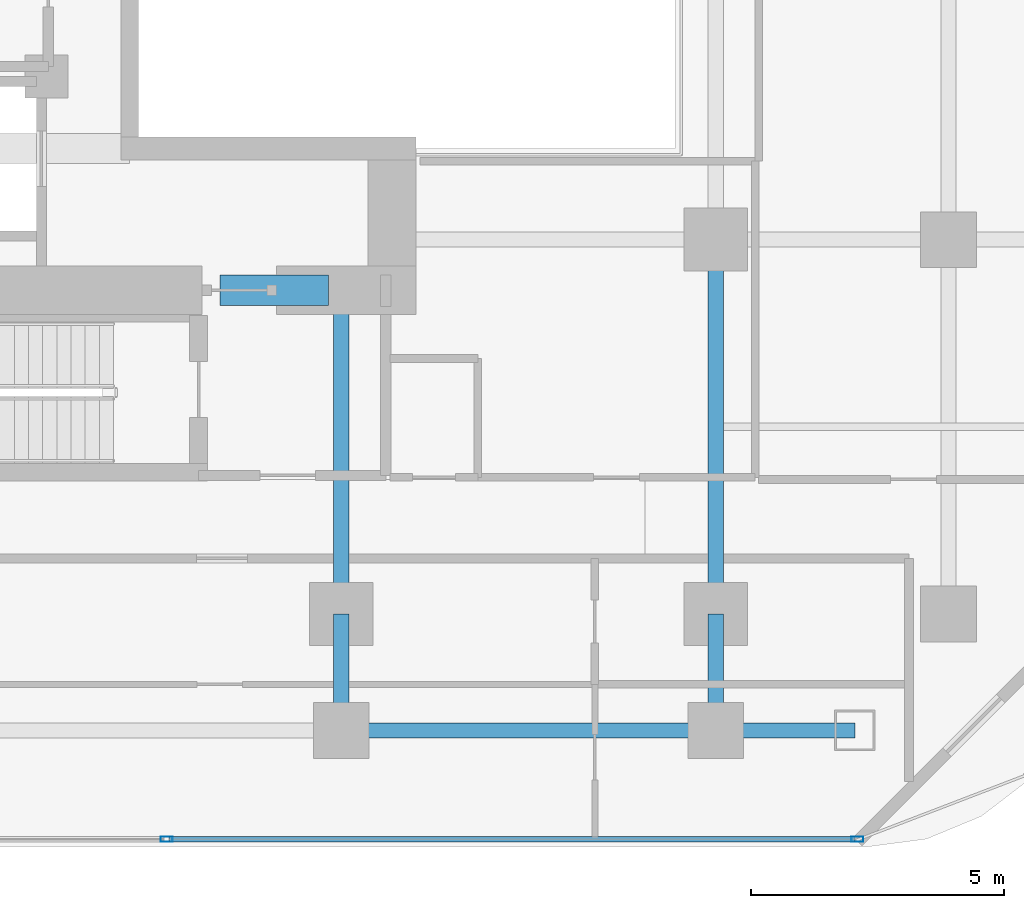
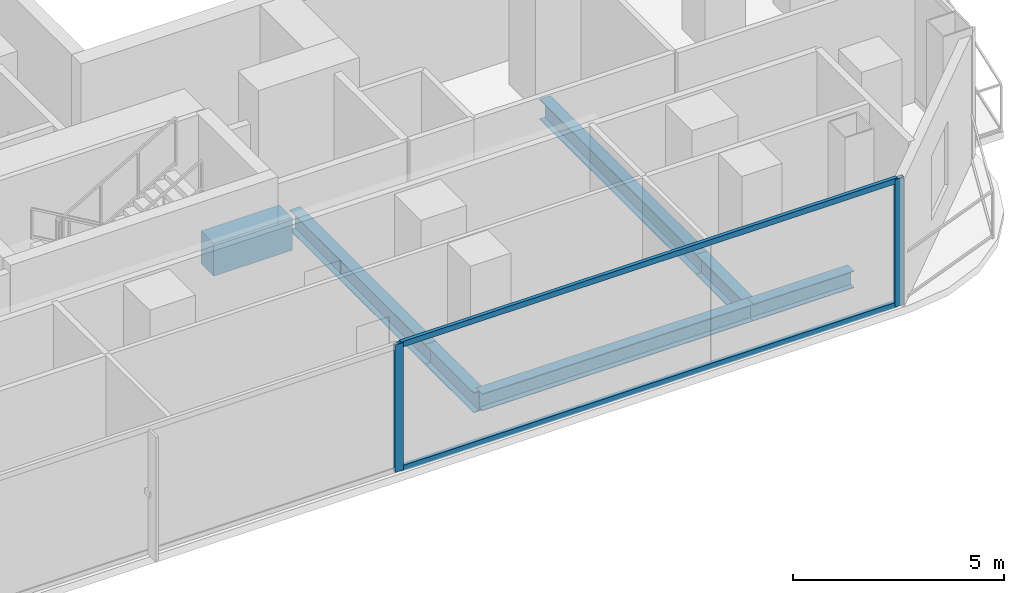
# One storey, part 8 of 28: 7 beams, 4 members, 1 element without a shape of its own.
"""IFC4 building model written with IfcOpenShell, lengths in metres."""

from ifc_helpers import new_model, si_unit, direction, frame, origin, origin_2d, place, context, subcontext, project, spatial, rectangle, hollow_rectangle, i_section, extrude, material, layer, layer_set, material_profile, profile_set, type_object, element, aggregate, save


model = new_model("IFC4")

# Units and contexts
model_context = context("Model", 3, precision=1e-05, world=origin(), true_north=direction((0.0, 1.0)))
body_context = subcontext(model_context, "Body", "Model", "MODEL_VIEW")
ifc_project = project(units=[si_unit("LENGTHUNIT", "METRE"), si_unit("AREAUNIT", "SQUARE_METRE"), si_unit("VOLUMEUNIT", "CUBIC_METRE"), si_unit("PLANEANGLEUNIT", "RADIAN"), si_unit("MASSUNIT", "GRAM", prefix="KILO")], contexts=[model_context])

# Site, building, storey
site_placement = place(None, origin())
site = spatial("IfcSite", under=ifc_project, at=site_placement, CompositionType="ELEMENT")
building_placement = place(site_placement, origin())
building = spatial("IfcBuilding", under=site, at=building_placement, Name="Khorvyn Point Tower", CompositionType="ELEMENT")
storey_placement = place(building_placement, frame((0.0, 0.0, 89.10009765625)))
storey = spatial("IfcBuildingStorey", under=building, at=storey_placement, Name="L22", CompositionType="ELEMENT", Elevation=89.10009765625)

# Curtain wall, members
ifc_material_1 = material(Name="Anodised aluminium 6063-T6 and laminated Low-E glass", Category="aluminium")
ifc_layer = layer(ifc_material_1, 0.18994140625)
ifc_layer_set = layer_set([ifc_layer], Name="Stick-Built Finned Residential Curtain Wall CW-SYS-02")
curtain_wall_type = type_object("IfcCurtainWallType", Name="Stick-Built Finned Residential Curtain Wall CW-SYS-02", PredefinedType="NOTDEFINED", material=ifc_layer_set)
curtain_wall_placement = place(storey_placement, origin())
curtain_wall = element("IfcCurtainWall", 1, at=curtain_wall_placement, inside=storey, type_object=curtain_wall_type, Name="Curtain Wall", PredefinedType="NOTDEFINED")
ifc_material_2 = material(Name="Anodised aluminium 6063-T6", Category="aluminium")
ifc_material_profile_1 = material_profile(ifc_material_2, hollow_rectangle(XDim=0.10009765625, YDim=0.239990234375, WallThickness=0.0048828125, at=origin_2d()))
ifc_profile_set_1 = profile_set([ifc_material_profile_1], Name="Anodised aluminium 6063-T6 ALU-MUL-100x240")
member_type_1 = type_object("IfcMemberType", Name="Anodised Aluminium 6063-T6 Mullion ALU-MUL-100x240", PredefinedType="MULLION", material=ifc_profile_set_1)
member_1_placement = place(storey_placement, frame((17.60009765625, -19.25, 0.0), z_axis=(0.0, 0.0, 1.0), x_axis=(0.0, -1.0, 0.0)))
member_1 = element("IfcMember", 2, at=member_1_placement, type_object=member_type_1, Name="Transom", PredefinedType="MULLION", context=body_context, shape_type="SweptSolid", body=[
    extrude(hollow_rectangle(XDim=0.10009765625, YDim=0.239990234375, WallThickness=0.0048828125, at=origin_2d()), origin(), (0.0, 0.0, 1.0), 3.679931640625),
])
member_2_placement = place(storey_placement, frame((3.949951171875, -19.25, 0.0), z_axis=(0.0, 0.0, 1.0), x_axis=(0.0, -1.0, 0.0)))
member_2 = element("IfcMember", 3, at=member_2_placement, type_object=member_type_1, Name="Transom", PredefinedType="MULLION", context=body_context, shape_type="SweptSolid", body=[
    extrude(hollow_rectangle(XDim=0.10009765625, YDim=0.239990234375, WallThickness=0.0048828125, at=origin_2d()), origin(), (0.0, 0.0, 1.0), 3.679931640625),
])
ifc_material_profile_2 = material_profile(ifc_material_2, hollow_rectangle(XDim=0.10009765625, YDim=0.159912109375, WallThickness=0.00439453125, at=origin_2d()))
ifc_profile_set_2 = profile_set([ifc_material_profile_2], Name="Anodised aluminium 6063-T6 ALU-TRN-100x160")
member_type_2 = type_object("IfcMemberType", Name="Anodised Aluminium 6063-T6 Transom ALU-TRN-100x160", PredefinedType="USERDEFINED", material=ifc_profile_set_2)
member_3_placement = place(storey_placement, frame((17.550048828125, -19.25, 0.0498046875), z_axis=(-1.0, 0.0, 0.0), x_axis=(0.0, -1.0, 0.0)))
member_3 = element("IfcMember", 4, at=member_3_placement, type_object=member_type_2, Name="Transom", ObjectType="TRANSOM", PredefinedType="USERDEFINED", context=body_context, shape_type="SweptSolid", body=[
    extrude(hollow_rectangle(XDim=0.10009765625, YDim=0.159912109375, WallThickness=0.00439453125, at=origin_2d()), origin(), (0.0, 0.0, 1.0), 13.550048828125),
])
member_4_placement = place(storey_placement, frame((17.550048828125, -19.25, 3.6298828125), z_axis=(-1.0, 0.0, 0.0), x_axis=(0.0, -1.0, 0.0)))
member_4 = element("IfcMember", 5, at=member_4_placement, type_object=member_type_2, Name="Transom", ObjectType="TRANSOM", PredefinedType="USERDEFINED", context=body_context, shape_type="SweptSolid", body=[
    extrude(hollow_rectangle(XDim=0.10009765625, YDim=0.159912109375, WallThickness=0.00439453125, at=origin_2d()), origin(), (0.0, 0.0, 1.0), 13.550048828125),
])
aggregate(curtain_wall, [member_1, member_2, member_3, member_4])

# Beams
ifc_material_3 = material(Name="Concrete C50/60", Category="concrete")
ifc_material_profile_3 = material_profile(ifc_material_3, rectangle(XDim=0.60009765625, YDim=0.949951171875, at=origin_2d()))
ifc_profile_set_3 = profile_set([ifc_material_profile_3], Name="Concrete C50/60 RC600x950")
beam_type_1 = type_object("IfcBeamType", Name="Concrete C50/60 Beam RC600x950", PredefinedType="BEAM", material=ifc_profile_set_3)
beam_1_placement = place(storey_placement, frame((5.0, -8.39990234375, -0.695068359375), z_axis=(1.0, 0.0, 0.0), x_axis=(0.0, 1.0, 0.0)))
element("IfcBeam", 6, at=beam_1_placement, inside=storey, type_object=beam_type_1, Name="L22 Core Southeast Portal Coupling Beam", PredefinedType="BEAM", context=body_context, shape_type="SweptSolid", body=[
    extrude(rectangle(XDim=0.60009765625, YDim=0.949951171875, at=origin_2d()), origin(), (0.0, 0.0, 1.0), 2.14990234375),
])
ifc_material_4 = material(Name="Steel S355", Category="steel")
ifc_material_profile_4 = material_profile(ifc_material_4, i_section(OverallWidth=0.300048828125, OverallDepth=0.587890625, WebThickness=0.011962890625, FlangeThickness=0.02001953125, at=origin_2d()))
ifc_profile_set_4 = profile_set([ifc_material_profile_4], Name="Steel S355 H588x300x12x20")
beam_type_2 = type_object("IfcBeamType", Name="Steel S355 Beam H588x300x12x20", PredefinedType="BEAM", material=ifc_profile_set_4)
beam_2_placement = place(storey_placement, frame((14.800048828125, -17.10009765625, -0.51416015625), z_axis=(0.0, 1.0, 0.0), x_axis=(-1.0, 0.0, 0.0)))
element("IfcBeam", 7, at=beam_2_placement, inside=storey, type_object=beam_type_2, Name="Beam", PredefinedType="BEAM", context=body_context, shape_type="SweptSolid", body=[
    extrude(i_section(OverallWidth=0.300048828125, OverallDepth=0.587890625, WebThickness=0.011962890625, FlangeThickness=0.02001953125, at=origin_2d()), origin(), (0.0, 0.0, 1.0), 2.300048828125),
])
beam_3_placement = place(storey_placement, frame((14.800048828125, -14.800048828125, -0.51416015625), z_axis=(0.0, 1.0, 0.0), x_axis=(-1.0, 0.0, 0.0)))
element("IfcBeam", 8, at=beam_3_placement, inside=storey, type_object=beam_type_2, Name="Beam", PredefinedType="BEAM", context=body_context, shape_type="SweptSolid", body=[
    extrude(i_section(OverallWidth=0.300048828125, OverallDepth=0.587890625, WebThickness=0.011962890625, FlangeThickness=0.02001953125, at=origin_2d()), origin(), (0.0, 0.0, 1.0), 7.400146484375),
])
beam_4_placement = place(storey_placement, frame((7.39990234375, -17.10009765625, -0.51416015625), z_axis=(0.0, 1.0, 0.0), x_axis=(-1.0, 0.0, 0.0)))
element("IfcBeam", 9, at=beam_4_placement, inside=storey, type_object=beam_type_2, Name="Beam", PredefinedType="BEAM", context=body_context, shape_type="SweptSolid", body=[
    extrude(i_section(OverallWidth=0.300048828125, OverallDepth=0.587890625, WebThickness=0.011962890625, FlangeThickness=0.02001953125, at=origin_2d()), origin(), (0.0, 0.0, 1.0), 2.300048828125),
])
beam_5_placement = place(storey_placement, frame((7.39990234375, -14.800048828125, -0.51416015625), z_axis=(0.0, 1.0, 0.0), x_axis=(-1.0, 0.0, 0.0)))
element("IfcBeam", 10, at=beam_5_placement, inside=storey, type_object=beam_type_2, Name="Beam", PredefinedType="BEAM", context=body_context, shape_type="SweptSolid", body=[
    extrude(i_section(OverallWidth=0.300048828125, OverallDepth=0.587890625, WebThickness=0.011962890625, FlangeThickness=0.02001953125, at=origin_2d()), origin(), (0.0, 0.0, 1.0), 6.400146484375),
])
ifc_material_profile_5 = material_profile(ifc_material_4, i_section(OverallWidth=0.300048828125, OverallDepth=0.488037109375, WebThickness=0.010986328125, FlangeThickness=0.01806640625, at=origin_2d()))
ifc_profile_set_5 = profile_set([ifc_material_profile_5], Name="Steel S355 H488x300x11x18")
beam_type_3 = type_object("IfcBeamType", Name="Steel S355 Spandrel H488x300x11x18", PredefinedType="SPANDREL", material=ifc_profile_set_5)
beam_6_placement = place(storey_placement, frame((7.39990234375, -17.10009765625, -0.464111328125), z_axis=(1.0, 0.0, 0.0), x_axis=(0.0, 1.0, 0.0)))
element("IfcBeam", 11, at=beam_6_placement, inside=storey, type_object=beam_type_3, Name="Beam", PredefinedType="SPANDREL", context=body_context, shape_type="SweptSolid", body=[
    extrude(i_section(OverallWidth=0.300048828125, OverallDepth=0.488037109375, WebThickness=0.010986328125, FlangeThickness=0.01806640625, at=origin_2d()), origin(), (0.0, 0.0, 1.0), 7.400146484375),
])
beam_7_placement = place(storey_placement, frame((14.800048828125, -17.10009765625, -0.464111328125), z_axis=(1.0, 0.0, 0.0), x_axis=(0.0, 1.0, 0.0)))
element("IfcBeam", 12, at=beam_7_placement, inside=storey, type_object=beam_type_3, Name="Beam", PredefinedType="SPANDREL", context=body_context, shape_type="SweptSolid", body=[
    extrude(i_section(OverallWidth=0.300048828125, OverallDepth=0.488037109375, WebThickness=0.010986328125, FlangeThickness=0.01806640625, at=origin_2d()), origin(), (0.0, 0.0, 1.0), 2.75),
])

save(model, "model.ifc")
